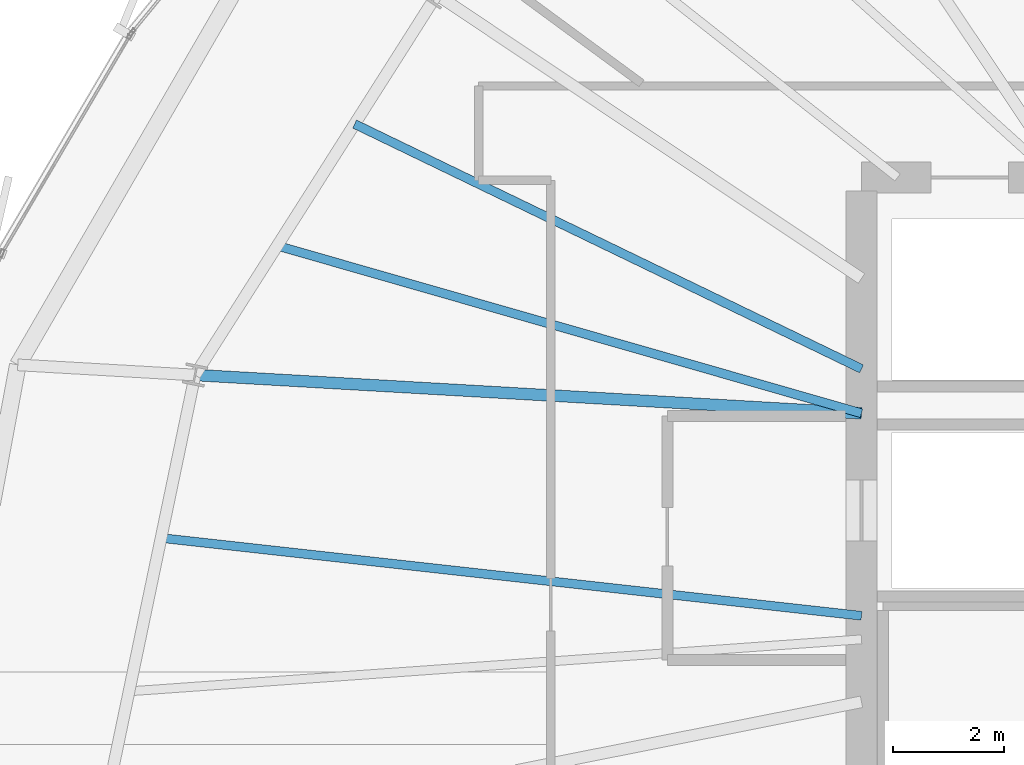
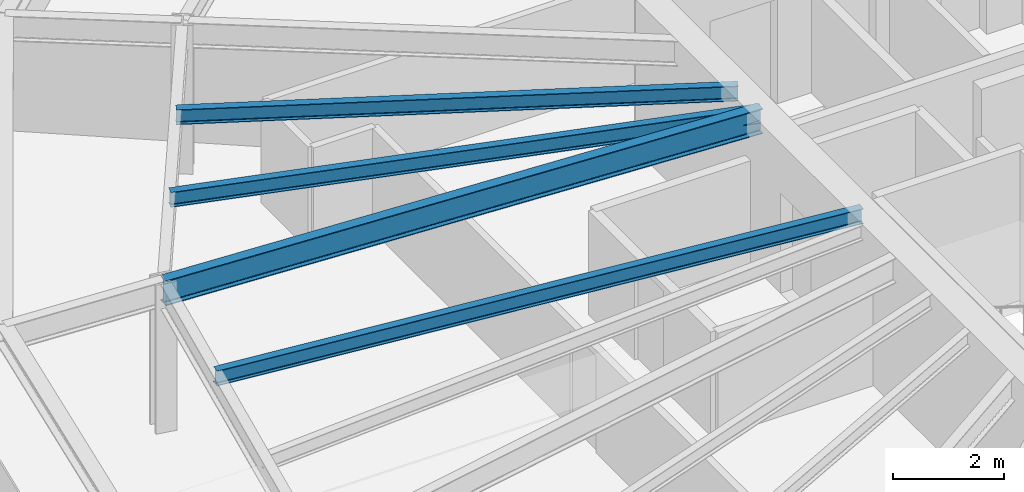
# One storey, part 11 of 34: 4 beams.
"""IFC4 building model written with IfcOpenShell, lengths in metres."""

import ifcopenshell
import ifcopenshell.guid

model = None  # the IFC model being written
_history = None  # IfcOwnerHistory: only IFC2X3 demands one
_inside = {}  # id of a spatial element -> (the spatial element, [elements in it])
_under = {}  # id of a project, library or spatial element -> (it, [spatial elements below it])
_declared = {}  # id of a project -> (the project, [libraries it declares])
_typed = {}  # id of a type object -> (the type object, [elements of that type])
_made_of = {}  # id of a material, layer set ... -> (it, [elements and type objects made of it])


def new_model(schema):
    """Start an empty IFC model of exactly this schema.

    Asked for "IFC4X3", IfcOpenShell would pick the latest addendum, in which some entities
    have other attributes; the version numbers below select the first issue.
    IFC2X3 requires an IfcOwnerHistory on every rooted entity: one is made here for all.
    """
    global model, _history
    if schema == "IFC4X3":
        model = ifcopenshell.file(schema_version=(4, 3, 0, 0))
    else:
        model = ifcopenshell.file(schema=schema)
    _inside.clear()
    _under.clear()
    _declared.clear()
    _typed.clear()
    _made_of.clear()
    _history = None
    if model.schema == "IFC2X3":
        org = make("IfcOrganization", Name="unknown")
        user = make(
            "IfcPersonAndOrganization",
            ThePerson=make("IfcPerson", FamilyName="unknown"),
            TheOrganization=org,
        )
        app = make(
            "IfcApplication",
            ApplicationDeveloper=org,
            Version="unknown",
            ApplicationFullName="unknown",
            ApplicationIdentifier="unknown",
        )
        _history = make(
            "IfcOwnerHistory",
            OwningUser=user,
            OwningApplication=app,
            ChangeAction="ADDED",
            CreationDate=0,
        )
    return model


def make(cls, **values):
    """One entity of the class cls with the attributes given. An attribute that is None is left unset."""
    return model.create_entity(
        cls, **{name: value for name, value in values.items() if value is not None}
    )


def rooted(cls, **values):
    """An entity with a GlobalId (a new one), such as an element, a storey or a relation."""
    return make(cls, GlobalId=ifcopenshell.guid.new(), OwnerHistory=_history, **values)


def si_unit(unit_type, name, prefix=None):
    """IfcSIUnit, for example si_unit("LENGTHUNIT", "METRE", prefix="MILLI")."""
    return make("IfcSIUnit", UnitType=unit_type, Prefix=prefix, Name=name)


def assignment(units):
    """IfcUnitAssignment: the units of a project."""
    return None if units is None else make("IfcUnitAssignment", Units=units)


def point(xyz):
    """IfcCartesianPoint."""
    return None if xyz is None else make("IfcCartesianPoint", Coordinates=xyz)


def direction(xyz):
    """IfcDirection."""
    return None if xyz is None else make("IfcDirection", DirectionRatios=xyz)


def frame(location, z_axis=None, x_axis=None):
    """IfcAxis2Placement3D, a coordinate frame: its origin and axes. An axis left out is left unset."""
    return make(
        "IfcAxis2Placement3D",
        Location=point(location),
        Axis=direction(z_axis),
        RefDirection=direction(x_axis),
    )


def frame_2d(location, x_axis=None):
    """IfcAxis2Placement2D, a coordinate frame in the plane: its origin and x axis."""
    return make(
        "IfcAxis2Placement2D", Location=point(location), RefDirection=direction(x_axis)
    )


def origin():
    """The frame at (0, 0, 0) with its axes left unset."""
    return frame((0.0, 0.0, 0.0))


def origin_2d():
    """The frame at (0, 0) in the plane with its x axis left unset."""
    return frame_2d((0.0, 0.0))


def place(relative_to, where):
    """IfcLocalPlacement: puts the frame where relative to a parent placement (None: the world)."""
    return make(
        "IfcLocalPlacement", PlacementRelTo=relative_to, RelativePlacement=where
    )


def context(
    kind, dimensions, precision=None, world=None, true_north=None, identifier=None
):
    """IfcGeometricRepresentationContext, for example the 3D "Model" context."""
    return make(
        "IfcGeometricRepresentationContext",
        ContextIdentifier=identifier,
        ContextType=kind,
        CoordinateSpaceDimension=dimensions,
        Precision=precision,
        WorldCoordinateSystem=world,
        TrueNorth=true_north,
    )


def subcontext(parent, identifier, kind, view, scale=None):
    """IfcGeometricRepresentationSubContext, for example "Body" below "Model"."""
    return make(
        "IfcGeometricRepresentationSubContext",
        ContextIdentifier=identifier,
        ContextType=kind,
        ParentContext=parent,
        TargetScale=scale,
        TargetView=view,
    )


def project(units=None, contexts=None):
    """IfcProject with its units and contexts."""
    return rooted(
        "IfcProject",
        Name="project",
        RepresentationContexts=contexts,
        UnitsInContext=assignment(units),
    )


def spatial(cls, under=None, at=None, **own):
    """A site, building, storey or space (cls), placed at a placement, below another one or the project."""
    s = rooted(cls, ObjectPlacement=at, **own)
    if under is not None:
        _under.setdefault(under.id(), (under, []))[1].append(s)
    return s


def profile(cls, at=None, kind="AREA", **sizes):
    """A parametric profile (cls). Its sizes go by their IFC names, for example OverallWidth=200.0."""
    return make(cls, ProfileType=kind, Position=at, **sizes)


def i_section(**sizes):
    """IfcIShapeProfileDef."""
    return profile("IfcIShapeProfileDef", **sizes)


def extrude(swept, where, along, depth):
    """IfcExtrudedAreaSolid: the profile swept, set in the frame where, extruded along a direction by depth."""
    return make(
        "IfcExtrudedAreaSolid",
        SweptArea=swept,
        Position=where,
        ExtrudedDirection=direction(along),
        Depth=depth,
    )


def shape(context_of_items, identifier, shape_type, items):
    """IfcShapeRepresentation: the items that make up one representation, for example the "Body"."""
    return make(
        "IfcShapeRepresentation",
        ContextOfItems=context_of_items,
        RepresentationIdentifier=identifier,
        RepresentationType=shape_type,
        Items=items,
    )


def source(mapping_origin, context_of_items, identifier, shape_type, items):
    """IfcRepresentationMap: a shape defined once, which mapped items show again and again."""
    return make(
        "IfcRepresentationMap",
        MappingOrigin=mapping_origin,
        MappedRepresentation=shape(context_of_items, identifier, shape_type, items),
    )


def transform(
    local_origin,
    x_axis=None,
    y_axis=None,
    z_axis=None,
    scale=None,
    scale2=None,
    scale3=None,
    uniform=True,
):
    """IfcCartesianTransformationOperator3D, or its non-uniform kind. x_axis, y_axis, z_axis: its Axis1, 2, 3."""
    if uniform:
        return make(
            "IfcCartesianTransformationOperator3D",
            Axis1=direction(x_axis),
            Axis2=direction(y_axis),
            LocalOrigin=point(local_origin),
            Scale=scale,
            Axis3=direction(z_axis),
        )
    return make(
        "IfcCartesianTransformationOperator3DnonUniform",
        Axis1=direction(x_axis),
        Axis2=direction(y_axis),
        LocalOrigin=point(local_origin),
        Scale=scale,
        Axis3=direction(z_axis),
        Scale2=scale2,
        Scale3=scale3,
    )


def mapped(mapping_source, mapping_target):
    """IfcMappedItem: shows the shape of a source again, moved by a transform."""
    return make(
        "IfcMappedItem", MappingSource=mapping_source, MappingTarget=mapping_target
    )


def material(Name=None, Category=None):
    """IfcMaterial."""
    return make("IfcMaterial", Name=Name, Category=Category)


def material_profile(
    of_material, cross_section, Name=None, Category=None, Priority=None
):
    """IfcMaterialProfile: a cross section and its material."""
    return make(
        "IfcMaterialProfile",
        Name=Name,
        Material=of_material,
        Profile=cross_section,
        Priority=Priority,
        Category=Category,
    )


def profile_set(profiles, Name=None, composite=None):
    """IfcMaterialProfileSet."""
    return make(
        "IfcMaterialProfileSet",
        Name=Name,
        MaterialProfiles=profiles,
        CompositeProfile=composite,
    )


def made_of(thing, what):
    """Note that an element or type object is made of a material, layer set ...; save() writes the relation."""
    if what is not None:
        _made_of.setdefault(what.id(), (what, []))[1].append(thing)
    return thing


def type_object(cls, material=None, **own):
    """A type object (cls), such as IfcWallType, which elements share."""
    return made_of(rooted(cls, **own), material)


def element(
    cls,
    number,
    at=None,
    inside=None,
    cuts=None,
    type_object=None,
    material=None,
    context=None,
    identifier="Body",
    shape_type=None,
    held_by="IfcProductDefinitionShape",
    body=None,
    shapes=None,
    **own,
):
    """One element of the class cls, such as IfcWall. Its Tag is "e" and its number.

    at: its placement. inside: the storey or other place that contains it. cuts: it is an
    opening in that element (IfcRelVoidsElement). A single representation is given by context,
    identifier, shape_type and body (its items); several are given by shapes. held_by: the class
    of the entity that holds the representations. save() writes the other relations.
    """
    e = rooted(cls, Tag="e%d" % number, ObjectPlacement=at, **own)
    if body is not None:
        shapes = [shape(context, identifier, shape_type, body)]
    if shapes is not None:
        e.Representation = make(held_by, Representations=shapes)
    if inside is not None:
        _inside.setdefault(inside.id(), (inside, []))[1].append(e)
    if cuts is not None:
        rooted(
            "IfcRelVoidsElement", RelatingBuildingElement=cuts, RelatedOpeningElement=e
        )
    if type_object is not None:
        _typed.setdefault(type_object.id(), (type_object, []))[1].append(e)
    return made_of(e, material)


def aggregate(whole, parts):
    """IfcRelAggregates: a whole, such as a stair, and the parts it consists of."""
    return rooted("IfcRelAggregates", RelatingObject=whole, RelatedObjects=parts)


def save(model, path):
    """Write the relations noted so far, then the file.

    IfcRelAggregates (storeys below a building ...), IfcRelContainedInSpatialStructure (elements
    in a storey), IfcRelDefinesByType, IfcRelAssociatesMaterial and IfcRelDeclares: one each for
    every whole, place, type object, material and project.
    """
    for whole, parts in _under.values():
        aggregate(whole, parts)
    for where, things in _inside.values():
        rooted(
            "IfcRelContainedInSpatialStructure",
            RelatedElements=things,
            RelatingStructure=where,
        )
    for kind, things in _typed.values():
        rooted("IfcRelDefinesByType", RelatedObjects=things, RelatingType=kind)
    for what, things in _made_of.values():
        rooted("IfcRelAssociatesMaterial", RelatedObjects=things, RelatingMaterial=what)
    for by, libraries in _declared.values():
        rooted("IfcRelDeclares", RelatingContext=by, RelatedDefinitions=libraries)
    model.write(path)


model = new_model("IFC4")

# Units and contexts
model_context = context("Model", 3, precision=1e-05, world=origin(), true_north=direction((0.0, 1.0)))
body_context = subcontext(model_context, "Body", "Model", "MODEL_VIEW")
ifc_project = project(units=[si_unit("LENGTHUNIT", "METRE"), si_unit("AREAUNIT", "SQUARE_METRE"), si_unit("VOLUMEUNIT", "CUBIC_METRE"), si_unit("PLANEANGLEUNIT", "RADIAN"), si_unit("MASSUNIT", "GRAM", prefix="KILO"), si_unit("THERMODYNAMICTEMPERATUREUNIT", "KELVIN")], contexts=[model_context])

# Site, building, storey
site_placement = place(None, origin())
site = spatial("IfcSite", under=ifc_project, at=site_placement, CompositionType="ELEMENT")
building_placement = place(site_placement, origin())
building = spatial("IfcBuilding", under=site, at=building_placement, Name="Kethvar Cultural Tower", CompositionType="ELEMENT")
storey_placement = place(building_placement, frame((0.0, 0.0, 153.64990234375)))
storey = spatial("IfcBuildingStorey", under=building, at=storey_placement, Name="L39", CompositionType="ELEMENT", Elevation=153.64990234375)

# Beams
ifc_material = material(Name="Steel S355J2", Category="steel")
ifc_material_profile_1 = material_profile(ifc_material, i_section(OverallWidth=0.2099609375, OverallDepth=0.550048828125, WebThickness=0.010986328125, FlangeThickness=0.01708984375, FilletRadius=0.02392578125, at=origin_2d()), Name="Steel S355J2 — IPE550")
ifc_profile_set_1 = profile_set([ifc_material_profile_1], Name="Steel S355J2 — IPE550")
beam_type_1 = type_object("IfcBeamType", Name="BM-IPE550", PredefinedType="BEAM", material=ifc_profile_set_1)
shared_shape_1 = source(origin(), body_context, "Body", "SweptSolid", [
    extrude(i_section(OverallWidth=0.2099609375, OverallDepth=0.550048828125, WebThickness=0.010986328125, FlangeThickness=0.01708984375, FilletRadius=0.02392578125, at=origin_2d()), origin(), (0.0, 0.0, 1.0), 12.03125),
])
beam_1_placement = place(storey_placement, frame((38.0, 31.25, 3.023193359375), z_axis=(-0.998355544741, 0.057325441856, 0.0), x_axis=(-0.057325441856, -0.998355544741, 0.0)))
element("IfcBeam", 1, at=beam_1_placement, inside=storey, type_object=beam_type_1, Name="L39 Primary Radial Beam RB-08", PredefinedType="BEAM", context=body_context, shape_type="MappedRepresentation", body=[
    mapped(shared_shape_1, transform((0.0, 0.0, 0.0), scale=1.0)),
])
ifc_material_profile_2 = material_profile(ifc_material, i_section(OverallWidth=0.159912109375, OverallDepth=0.330078125, WebThickness=0.007568359375, FlangeThickness=0.011474609375, FilletRadius=0.01806640625, at=origin_2d()), Name="Steel S355J2 — IPE330")
ifc_profile_set_2 = profile_set([ifc_material_profile_2], Name="Steel S355J2 — IPE330")
beam_type_2 = type_object("IfcBeamType", Name="BM-J330", PredefinedType="JOIST", material=ifc_profile_set_2)
shared_shape_2 = source(origin(), body_context, "Body", "SweptSolid", [
    extrude(i_section(OverallWidth=0.159912109375, OverallDepth=0.330078125, WebThickness=0.007568359375, FlangeThickness=0.011474609375, FilletRadius=0.01806640625, at=origin_2d()), origin(), (0.0, 0.0, 1.0), 10.1455078125),
])
beam_2_placement = place(storey_placement, frame((38.0, 32.05078125, 3.133056640625), z_axis=(-0.90045122575, 0.434956997927, 0.0), x_axis=(-0.434956997927, -0.90045122575, 0.0)))
element("IfcBeam", 2, at=beam_2_placement, inside=storey, type_object=beam_type_2, Name="L39 Composite Floor Joist J-07A", PredefinedType="JOIST", context=body_context, shape_type="MappedRepresentation", body=[
    mapped(shared_shape_2, transform((0.0, 0.0, 0.0), scale=1.0)),
])
shared_shape_3 = source(origin(), body_context, "Body", "SweptSolid", [
    extrude(i_section(OverallWidth=0.159912109375, OverallDepth=0.330078125, WebThickness=0.007568359375, FlangeThickness=0.011474609375, FilletRadius=0.01806640625, at=origin_2d()), origin(), (0.0, 0.0, 1.0), 10.95458984375),
])
beam_3_placement = place(storey_placement, frame((38.0, 31.25, 3.133056640625), z_axis=(-0.96124170623, 0.275707058676, 0.0), x_axis=(-0.275707058676, -0.96124170623, 0.0)))
element("IfcBeam", 3, at=beam_3_placement, inside=storey, type_object=beam_type_2, Name="L39 Composite Floor Joist J-07B", PredefinedType="JOIST", context=body_context, shape_type="MappedRepresentation", body=[
    mapped(shared_shape_3, transform((0.0, 0.0, 0.0), scale=1.0)),
])
shared_shape_4 = source(origin(), body_context, "Body", "SweptSolid", [
    extrude(i_section(OverallWidth=0.159912109375, OverallDepth=0.330078125, WebThickness=0.007568359375, FlangeThickness=0.011474609375, FilletRadius=0.01806640625, at=origin_2d()), origin(), (0.0, 0.0, 1.0), 12.7021484375),
])
beam_4_placement = place(storey_placement, frame((38.0, 27.60009765625, 3.133056640625), z_axis=(-0.993884906591, 0.110420978309, 0.0), x_axis=(-0.110420978309, -0.993884906591, 0.0)))
element("IfcBeam", 4, at=beam_4_placement, inside=storey, type_object=beam_type_2, Name="L39 Composite Floor Joist J-08A", PredefinedType="JOIST", context=body_context, shape_type="MappedRepresentation", body=[
    mapped(shared_shape_4, transform((0.0, 0.0, 0.0), scale=1.0)),
])

save(model, "model.ifc")
